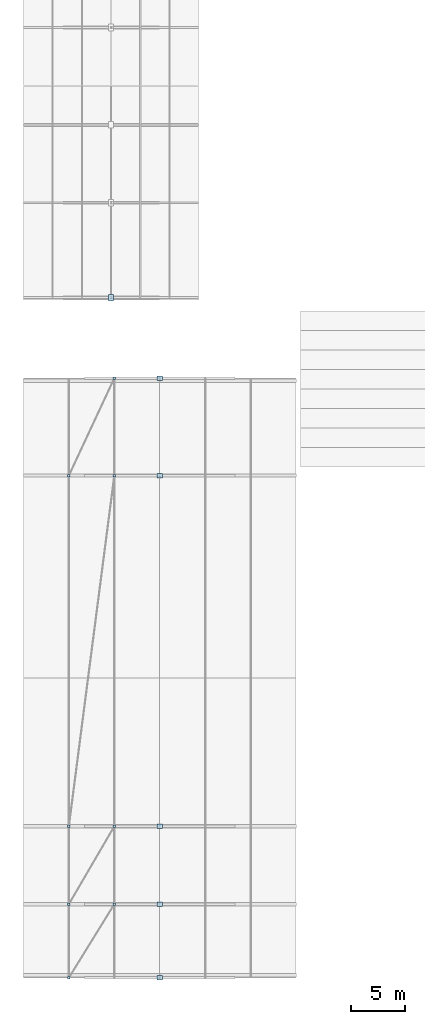
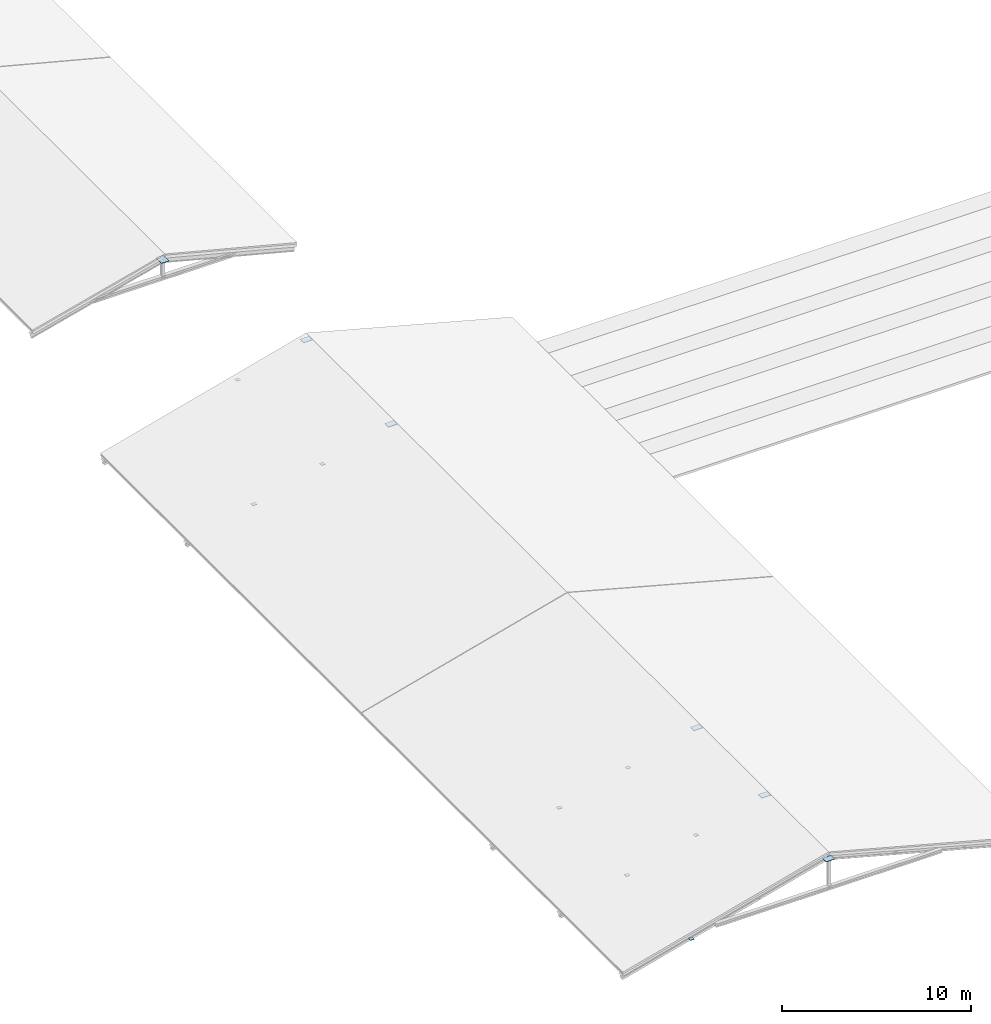
# One storey, part 24 of 31: 14 plates.
"""IFC4 building model written with IfcOpenShell, lengths in metres."""

from ifc_helpers import new_model, si_unit, direction, frame, origin, origin_2d, place, context, subcontext, project, spatial, rectangle, extrude, material, layer, layer_set, type_object, element, save


model = new_model("IFC4")

# Units and contexts
model_context = context("Model", 3, precision=1e-05, world=origin(), true_north=direction((0.0, 1.0)))
body_context = subcontext(model_context, "Body", "Model", "MODEL_VIEW")
ifc_project = project(units=[si_unit("LENGTHUNIT", "METRE"), si_unit("AREAUNIT", "SQUARE_METRE"), si_unit("VOLUMEUNIT", "CUBIC_METRE"), si_unit("PLANEANGLEUNIT", "RADIAN"), si_unit("MASSUNIT", "GRAM", prefix="KILO")], contexts=[model_context])

# Site, building, storey
site_placement = place(None, origin())
site = spatial("IfcSite", under=ifc_project, at=site_placement, CompositionType="ELEMENT")
building_placement = place(site_placement, origin())
building = spatial("IfcBuilding", under=site, at=building_placement, Name="Clarverna Civic Hall", CompositionType="ELEMENT")
storey_placement = place(building_placement, frame((0.0, 0.0, 31.199951171875)))
storey = spatial("IfcBuildingStorey", under=building, at=storey_placement, Name="RF", CompositionType="ELEMENT", Elevation=31.199951171875)

# Plates
ifc_material = material(Name="Steel S355", Category="steel")
ifc_layer_1 = layer(ifc_material, 0.02001953125)
ifc_layer_set_1 = layer_set([ifc_layer_1], Name="Steel S355")
plate_type_1 = type_object("IfcPlateType", Name="NP-04", PredefinedType="SHEET", material=ifc_layer_set_1)
for number, where, z_axis, x_axis, name in (
    (1, (4.199951171875, 0.0, -13.574462890625), (0.0, 0.0, 1.0), (1.0, 0.0, 0.0), "NP-04-099"),
    (2, (8.39990234375, 6.800048828125, -12.44921875), (0.0, 0.0, 1.0), (1.0, 0.0, 0.0), "NP-04-100"),
    (3, (4.199951171875, 6.800048828125, -13.574462890625), (0.0, 0.0, 1.0), (1.0, 0.0, 0.0), "NP-04-101"),
    (4, (8.39990234375, 14.0, -12.44921875), (0.0, 0.0, 1.0), (1.0, 0.0, 0.0), "NP-04-102"),
    (5, (4.199951171875, 14.0, -13.574462890625), (0.0, 0.0, 1.0), (1.0, 0.0, 0.0), "NP-04-103"),
    (6, (8.39990234375, 46.39990234375, -12.44921875), (0.0, 0.0, 1.0), (1.0, 0.0, 0.0), "NP-04-104"),
    (7, (4.199951171875, 46.39990234375, -13.574462890625), (0.0, 0.0, 1.0), (1.0, 0.0, 0.0), "NP-04-105"),
    (8, (8.39990234375, 55.39990234375, -12.44921875), (0.0, 0.0, 1.0), (1.0, 0.0, 0.0), "NP-04-106"),
):
    element("IfcPlate", number, at=place(storey_placement, frame(where, z_axis=z_axis, x_axis=x_axis)), inside=storey, type_object=plate_type_1, Name=name, PredefinedType="SHEET", context=body_context, shape_type="SweptSolid", body=[
        extrude(rectangle(XDim=0.239990234375, YDim=0.239990234375, at=origin_2d()), origin(), (0.0, 0.0, 1.0), 0.02001953125),
    ])
ifc_layer_2 = layer(ifc_material, 0.02392578125)
ifc_layer_set_2 = layer_set([ifc_layer_2], Name="Steel S355")
plate_type_2 = type_object("IfcPlateType", Name="NP-08", PredefinedType="SHEET", material=ifc_layer_set_2)
plate_placement = place(storey_placement, frame((8.10009765625, 62.840087890625, -9.0751953125), z_axis=(0.0, 0.0, 1.0), x_axis=(1.0, 0.0, 0.0)))
element("IfcPlate", 9, at=plate_placement, inside=storey, type_object=plate_type_2, Name="NP-08-010", PredefinedType="SHEET", context=body_context, shape_type="SweptSolid", body=[
    extrude(rectangle(XDim=0.4599609375, YDim=0.6201171875, at=origin_2d()), origin(), (0.0, 0.0, 1.0), 0.030029296875),
])
ifc_layer_3 = layer(ifc_material, 0.02001953125)
ifc_layer_set_3 = layer_set([ifc_layer_3], Name="Steel S355")
plate_type_3 = type_object("IfcPlateType", Name="NP-09", PredefinedType="SHEET", material=ifc_layer_set_3)
for number, where, z_axis, x_axis, name in (
    (10, (12.60009765625, 0.0, -11.333740234375), (0.0, 0.0, 1.0), (1.0, 0.0, 0.0), "NP-09-001"),
    (11, (12.60009765625, 6.800048828125, -11.333740234375), (0.0, 0.0, 1.0), (1.0, 0.0, 0.0), "NP-09-002"),
    (12, (12.60009765625, 14.0, -11.333740234375), (0.0, 0.0, 1.0), (1.0, 0.0, 0.0), "NP-09-003"),
    (13, (12.60009765625, 46.39990234375, -11.333740234375), (0.0, 0.0, 1.0), (1.0, 0.0, 0.0), "NP-09-004"),
    (14, (12.60009765625, 55.39990234375, -11.333740234375), (0.0, 0.0, 1.0), (1.0, 0.0, 0.0), "NP-09-005"),
):
    element("IfcPlate", number, at=place(storey_placement, frame(where, z_axis=z_axis, x_axis=x_axis)), inside=storey, type_object=plate_type_3, Name=name, PredefinedType="SHEET", context=body_context, shape_type="SweptSolid", body=[
        extrude(rectangle(XDim=0.5400390625, YDim=0.39990234375, at=origin_2d()), origin(), (0.0, 0.0, 1.0), 0.02490234375),
    ])

save(model, "model.ifc")
